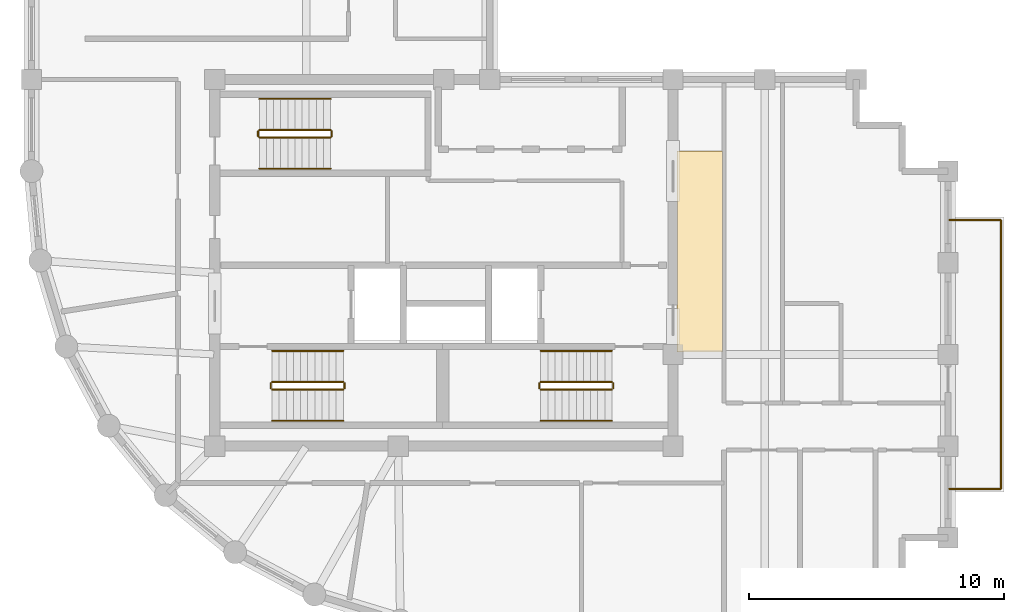
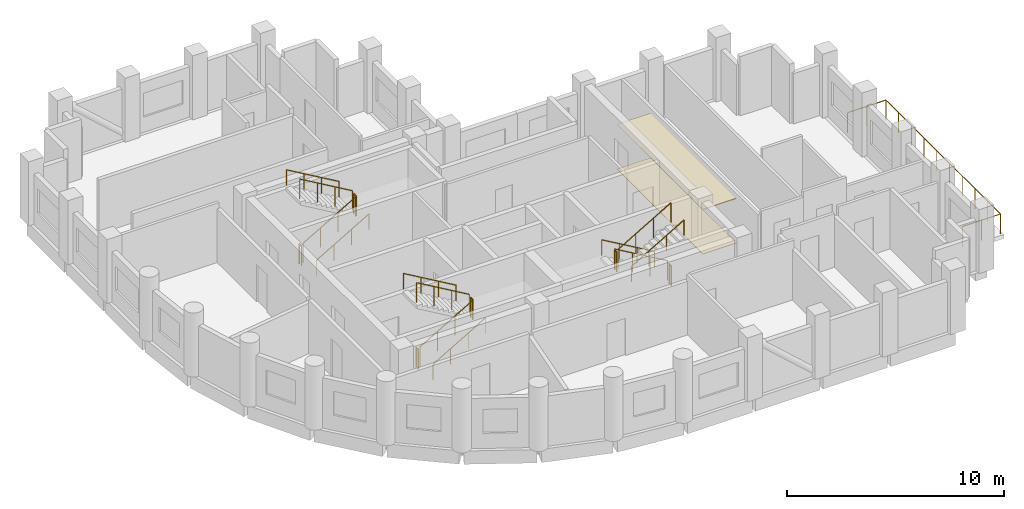
# One storey, part 6 of 6: 21 railings, 2 coverings.
"""IFC4 building model written with IfcOpenShell, lengths in metres."""

from ifc_helpers import new_model, si_unit, direction, frame, origin, origin_2d, place, context, subcontext, project, spatial, polyline, circle, outline, extrude, material, layer, layer_set, type_object, element, save


model = new_model("IFC4")

# Units and contexts
model_context = context("Model", 3, precision=1e-05, world=origin(), true_north=direction((0.0, 1.0)))
body_context = subcontext(model_context, "Body", "Model", "MODEL_VIEW")
ifc_project = project(units=[si_unit("LENGTHUNIT", "METRE"), si_unit("AREAUNIT", "SQUARE_METRE"), si_unit("VOLUMEUNIT", "CUBIC_METRE"), si_unit("PLANEANGLEUNIT", "RADIAN"), si_unit("MASSUNIT", "GRAM", prefix="KILO")], contexts=[model_context])

# Site, building, storey
site_placement = place(None, origin())
site = spatial("IfcSite", under=ifc_project, at=site_placement, CompositionType="ELEMENT")
building_placement = place(site_placement, origin())
building = spatial("IfcBuilding", under=site, at=building_placement, Name="Solnavia Interchange Tower", CompositionType="ELEMENT")
storey_placement = place(building_placement, frame((0.0, 0.0, 224.60009765625)))
storey = spatial("IfcBuildingStorey", under=building, at=storey_placement, Name="L56", CompositionType="ELEMENT", Elevation=224.60009765625)

# Coverings
ifc_material_1 = material(Name="Perforated Mineral-Fibre & Gypsum Ceiling", Category="gypsum")
ifc_layer_1 = layer(ifc_material_1, 0.0400390625)
ifc_layer_set_1 = layer_set([ifc_layer_1], Name="Perforated Mineral-Fibre & Gypsum Ceiling")
covering_type_1 = type_object("IfcCoveringType", Name="Covering-Ceiling-Acoustic40", PredefinedType="CEILING", material=ifc_layer_set_1)
covering_1_placement = place(storey_placement, frame((0.0, 0.0, 2.5)))
element("IfcCovering", 1, at=covering_1_placement, inside=storey, type_object=covering_type_1, Name="CLG-L56-01 Circulation suspended acoustic ceiling", PredefinedType="CEILING", context=body_context, shape_type="SweptSolid", body=[
    extrude(outline(polyline([(32.550048828125, 14.5), (34.35009765625, 14.5), (34.35009765625, 22.39990234375), (32.550048828125, 22.39990234375), (32.550048828125, 14.5)])), origin(), (0.0, 0.0, 1.0), 0.039794921875),
])
ifc_material_2 = material(Name="Engineered European Oak Flooring", Category="wood")
ifc_layer_2 = layer(ifc_material_2, 0.02001953125)
ifc_layer_set_2 = layer_set([ifc_layer_2], Name="Engineered European Oak Flooring")
covering_type_2 = type_object("IfcCoveringType", Name="Covering-Flooring-Timber20", PredefinedType="FLOORING", material=ifc_layer_set_2)
covering_2_placement = place(storey_placement, origin())
element("IfcCovering", 2, at=covering_2_placement, inside=storey, type_object=covering_type_2, Name="FLR-L56-01 Circulation floor finish", PredefinedType="FLOORING", context=body_context, shape_type="SweptSolid", body=[
    extrude(outline(polyline([(32.550048828125, 14.5), (34.35009765625, 14.5), (34.35009765625, 22.39990234375), (32.550048828125, 22.39990234375), (32.550048828125, 14.5)])), origin(), (0.0, 0.0, 1.0), 0.02001953125),
])

# Railings
ifc_material_3 = material(Name="Painted Steel Balustrade", Category="steel")
railing_type_1 = type_object("IfcRailingType", Name="Railing-StairGuard-1100", PredefinedType="GUARDRAIL", material=ifc_material_3)
railing_1_placement = place(storey_placement, frame((16.64990234375, 13.02001953125, 0.16357421875)))
element("IfcRailing", 3, at=railing_1_placement, inside=storey, type_object=railing_type_1, Name="L56 ST-1 stair guard 1", PredefinedType="GUARDRAIL", context=body_context, shape_type="SweptSolid", body=[
    extrude(circle(Radius=0.02392578125, at=origin_2d()), frame((0.0, 0.0, 1.09619140625), z_axis=(0.863393664356, 0.0, 0.504530851732), x_axis=(0.0, 1.0, 0.0)), (0.0, 0.0, 1.0), 3.2431640625),
    extrude(circle(Radius=0.02099609375, at=origin_2d()), origin(), (0.0, 0.0, 1.0), 1.072021484375),
    extrude(circle(Radius=0.02099609375, at=origin_2d()), frame((0.933349609375, 0.0, 0.54541015625)), (0.0, 0.0, 1.0), 1.072021484375),
    extrude(circle(Radius=0.02099609375, at=origin_2d()), frame((1.86669921875, 0.0, 1.0908203125)), (0.0, 0.0, 1.0), 1.072021484375),
    extrude(circle(Radius=0.02099609375, at=origin_2d()), frame((2.800048828125, 0.0, 1.63623046875)), (0.0, 0.0, 1.0), 1.072021484375),
])
railing_2_placement = place(storey_placement, frame((19.5, 13.070068359375, 1.7998046875)))
element("IfcRailing", 4, at=railing_2_placement, inside=storey, type_object=railing_type_1, Name="L56 ST-1 stair guard 2", PredefinedType="GUARDRAIL", context=body_context, shape_type="SweptSolid", body=[
    extrude(circle(Radius=0.02392578125, at=origin_2d()), frame((0.0, 0.0, 1.09619140625), z_axis=(0.0, 1.0, 0.0), x_axis=(-1.0, 0.0, 0.0)), (0.0, 0.0, 1.0), 0.199951171875),
    extrude(circle(Radius=0.02099609375, at=origin_2d()), origin(), (0.0, 0.0, 1.0), 1.072021484375),
    extrude(circle(Radius=0.02099609375, at=origin_2d()), frame((0.0, 0.199951171875, 0.0)), (0.0, 0.0, 1.0), 1.072021484375),
])
railing_3_placement = place(storey_placement, frame((19.449951171875, 13.320068359375, 1.963623046875)))
element("IfcRailing", 5, at=railing_3_placement, inside=storey, type_object=railing_type_1, Name="L56 ST-1 stair guard 3", PredefinedType="GUARDRAIL", context=body_context, shape_type="SweptSolid", body=[
    extrude(circle(Radius=0.02392578125, at=origin_2d()), frame((0.0, 0.0, 1.09619140625), z_axis=(-0.863393664356, 0.0, 0.504530851732), x_axis=(0.0, -1.0, 0.0)), (0.0, 0.0, 1.0), 3.2431640625),
    extrude(circle(Radius=0.02099609375, at=origin_2d()), origin(), (0.0, 0.0, 1.0), 1.072021484375),
    extrude(circle(Radius=0.02099609375, at=origin_2d()), frame((-0.933349609375, 0.0, 0.54541015625)), (0.0, 0.0, 1.0), 1.072021484375),
    extrude(circle(Radius=0.02099609375, at=origin_2d()), frame((-1.86669921875, 0.0, 1.0908203125)), (0.0, 0.0, 1.0), 1.072021484375),
    extrude(circle(Radius=0.02099609375, at=origin_2d()), frame((-2.800048828125, 0.0, 1.63623046875)), (0.0, 0.0, 1.0), 1.072021484375),
])
railing_4_placement = place(storey_placement, frame((16.60009765625, 13.070068359375, 0.0)))
element("IfcRailing", 6, at=railing_4_placement, inside=storey, type_object=railing_type_1, Name="L56 ST-1 stair guard 4", PredefinedType="GUARDRAIL", context=body_context, shape_type="SweptSolid", body=[
    extrude(circle(Radius=0.02392578125, at=origin_2d()), frame((0.0, 0.0, 1.09619140625), z_axis=(0.0, 1.0, 0.0), x_axis=(-1.0, 0.0, 0.0)), (0.0, 0.0, 1.0), 0.199951171875),
    extrude(circle(Radius=0.02099609375, at=origin_2d()), origin(), (0.0, 0.0, 1.0), 1.072021484375),
    extrude(circle(Radius=0.02099609375, at=origin_2d()), frame((0.0, 0.199951171875, 0.0)), (0.0, 0.0, 1.0), 1.072021484375),
])
railing_5_placement = place(storey_placement, frame((30.0, 13.320068359375, 0.16357421875)))
element("IfcRailing", 7, at=railing_5_placement, inside=storey, type_object=railing_type_1, Name="L56 ST-2 stair guard 1", PredefinedType="GUARDRAIL", context=body_context, shape_type="SweptSolid", body=[
    extrude(circle(Radius=0.02392578125, at=origin_2d()), frame((0.0, 0.0, 1.09619140625), z_axis=(-0.863393664356, 0.0, 0.504530851732), x_axis=(0.0, -1.0, 0.0)), (0.0, 0.0, 1.0), 3.2431640625),
    extrude(circle(Radius=0.02099609375, at=origin_2d()), origin(), (0.0, 0.0, 1.0), 1.072021484375),
    extrude(circle(Radius=0.02099609375, at=origin_2d()), frame((-0.933349609375, 0.0, 0.54541015625)), (0.0, 0.0, 1.0), 1.072021484375),
    extrude(circle(Radius=0.02099609375, at=origin_2d()), frame((-1.86669921875, 0.0, 1.0908203125)), (0.0, 0.0, 1.0), 1.072021484375),
    extrude(circle(Radius=0.02099609375, at=origin_2d()), frame((-2.800048828125, 0.0, 1.63623046875)), (0.0, 0.0, 1.0), 1.072021484375),
])
railing_6_placement = place(storey_placement, frame((27.14990234375, 13.27001953125, 1.7998046875)))
element("IfcRailing", 8, at=railing_6_placement, inside=storey, type_object=railing_type_1, Name="L56 ST-2 stair guard 2", PredefinedType="GUARDRAIL", context=body_context, shape_type="SweptSolid", body=[
    extrude(circle(Radius=0.02392578125, at=origin_2d()), frame((0.0, 0.0, 1.09619140625), z_axis=(0.0, -1.0, 0.0), x_axis=(1.0, 0.0, 0.0)), (0.0, 0.0, 1.0), 0.199951171875),
    extrude(circle(Radius=0.02099609375, at=origin_2d()), origin(), (0.0, 0.0, 1.0), 1.072021484375),
    extrude(circle(Radius=0.02099609375, at=origin_2d()), frame((0.0, -0.199951171875, 0.0)), (0.0, 0.0, 1.0), 1.072021484375),
])
railing_7_placement = place(storey_placement, frame((27.199951171875, 13.02001953125, 1.963623046875)))
element("IfcRailing", 9, at=railing_7_placement, inside=storey, type_object=railing_type_1, Name="L56 ST-2 stair guard 3", PredefinedType="GUARDRAIL", context=body_context, shape_type="SweptSolid", body=[
    extrude(circle(Radius=0.02392578125, at=origin_2d()), frame((0.0, 0.0, 1.09619140625), z_axis=(0.863393664356, 0.0, 0.504530851732), x_axis=(0.0, 1.0, 0.0)), (0.0, 0.0, 1.0), 3.2431640625),
    extrude(circle(Radius=0.02099609375, at=origin_2d()), origin(), (0.0, 0.0, 1.0), 1.072021484375),
    extrude(circle(Radius=0.02099609375, at=origin_2d()), frame((0.933349609375, 0.0, 0.54541015625)), (0.0, 0.0, 1.0), 1.072021484375),
    extrude(circle(Radius=0.02099609375, at=origin_2d()), frame((1.86669921875, 0.0, 1.0908203125)), (0.0, 0.0, 1.0), 1.072021484375),
    extrude(circle(Radius=0.02099609375, at=origin_2d()), frame((2.800048828125, 0.0, 1.63623046875)), (0.0, 0.0, 1.0), 1.072021484375),
])
railing_8_placement = place(storey_placement, frame((30.050048828125, 13.27001953125, 0.0)))
element("IfcRailing", 10, at=railing_8_placement, inside=storey, type_object=railing_type_1, Name="L56 ST-2 stair guard 4", PredefinedType="GUARDRAIL", context=body_context, shape_type="SweptSolid", body=[
    extrude(circle(Radius=0.02392578125, at=origin_2d()), frame((0.0, 0.0, 1.09619140625), z_axis=(0.0, -1.0, 0.0), x_axis=(1.0, 0.0, 0.0)), (0.0, 0.0, 1.0), 0.199951171875),
    extrude(circle(Radius=0.02099609375, at=origin_2d()), origin(), (0.0, 0.0, 1.0), 1.072021484375),
    extrude(circle(Radius=0.02099609375, at=origin_2d()), frame((0.0, -0.199951171875, 0.0)), (0.0, 0.0, 1.0), 1.072021484375),
])
railing_9_placement = place(storey_placement, frame((16.14990234375, 22.919921875, 0.16357421875)))
element("IfcRailing", 11, at=railing_9_placement, inside=storey, type_object=railing_type_1, Name="L56 ST-3 stair guard 1", PredefinedType="GUARDRAIL", context=body_context, shape_type="SweptSolid", body=[
    extrude(circle(Radius=0.02392578125, at=origin_2d()), frame((0.0, 0.0, 1.09619140625), z_axis=(0.863393664356, 0.0, 0.504530851732), x_axis=(0.0, 1.0, 0.0)), (0.0, 0.0, 1.0), 3.2431640625),
    extrude(circle(Radius=0.02099609375, at=origin_2d()), origin(), (0.0, 0.0, 1.0), 1.072021484375),
    extrude(circle(Radius=0.02099609375, at=origin_2d()), frame((0.933349609375, 0.0, 0.54541015625)), (0.0, 0.0, 1.0), 1.072021484375),
    extrude(circle(Radius=0.02099609375, at=origin_2d()), frame((1.86669921875, 0.0, 1.0908203125)), (0.0, 0.0, 1.0), 1.072021484375),
    extrude(circle(Radius=0.02099609375, at=origin_2d()), frame((2.800048828125, 0.0, 1.63623046875)), (0.0, 0.0, 1.0), 1.072021484375),
])
railing_10_placement = place(storey_placement, frame((19.0, 22.969970703125, 1.7998046875)))
element("IfcRailing", 12, at=railing_10_placement, inside=storey, type_object=railing_type_1, Name="L56 ST-3 stair guard 2", PredefinedType="GUARDRAIL", context=body_context, shape_type="SweptSolid", body=[
    extrude(circle(Radius=0.02392578125, at=origin_2d()), frame((0.0, 0.0, 1.09619140625), z_axis=(0.0, 1.0, 0.0), x_axis=(-1.0, 0.0, 0.0)), (0.0, 0.0, 1.0), 0.199951171875),
    extrude(circle(Radius=0.02099609375, at=origin_2d()), origin(), (0.0, 0.0, 1.0), 1.072021484375),
    extrude(circle(Radius=0.02099609375, at=origin_2d()), frame((0.0, 0.199951171875, 0.0)), (0.0, 0.0, 1.0), 1.072021484375),
])
railing_11_placement = place(storey_placement, frame((18.949951171875, 23.219970703125, 1.963623046875)))
element("IfcRailing", 13, at=railing_11_placement, inside=storey, type_object=railing_type_1, Name="L56 ST-3 stair guard 3", PredefinedType="GUARDRAIL", context=body_context, shape_type="SweptSolid", body=[
    extrude(circle(Radius=0.02392578125, at=origin_2d()), frame((0.0, 0.0, 1.09619140625), z_axis=(-0.863393664356, 0.0, 0.504530851732), x_axis=(0.0, -1.0, 0.0)), (0.0, 0.0, 1.0), 3.2431640625),
    extrude(circle(Radius=0.02099609375, at=origin_2d()), origin(), (0.0, 0.0, 1.0), 1.072021484375),
    extrude(circle(Radius=0.02099609375, at=origin_2d()), frame((-0.933349609375, 0.0, 0.54541015625)), (0.0, 0.0, 1.0), 1.072021484375),
    extrude(circle(Radius=0.02099609375, at=origin_2d()), frame((-1.86669921875, 0.0, 1.0908203125)), (0.0, 0.0, 1.0), 1.072021484375),
    extrude(circle(Radius=0.02099609375, at=origin_2d()), frame((-2.800048828125, 0.0, 1.63623046875)), (0.0, 0.0, 1.0), 1.072021484375),
])
railing_12_placement = place(storey_placement, frame((16.10009765625, 22.969970703125, 0.0)))
element("IfcRailing", 14, at=railing_12_placement, inside=storey, type_object=railing_type_1, Name="L56 ST-3 stair guard 4", PredefinedType="GUARDRAIL", context=body_context, shape_type="SweptSolid", body=[
    extrude(circle(Radius=0.02392578125, at=origin_2d()), frame((0.0, 0.0, 1.09619140625), z_axis=(0.0, 1.0, 0.0), x_axis=(-1.0, 0.0, 0.0)), (0.0, 0.0, 1.0), 0.199951171875),
    extrude(circle(Radius=0.02099609375, at=origin_2d()), origin(), (0.0, 0.0, 1.0), 1.072021484375),
    extrude(circle(Radius=0.02099609375, at=origin_2d()), frame((0.0, 0.199951171875, 0.0)), (0.0, 0.0, 1.0), 1.072021484375),
])
ifc_material_4 = material(Name="Brushed Stainless Steel", Category="steel")
railing_type_2 = type_object("IfcRailingType", Name="Railing-StairHandrail-900", PredefinedType="HANDRAIL", material=ifc_material_4)
railing_13_placement = place(storey_placement, frame((16.64990234375, 11.800048828125, 0.16357421875)))
element("IfcRailing", 15, at=railing_13_placement, inside=storey, type_object=railing_type_2, Name="L56 ST-1 stair handrail 1", PredefinedType="HANDRAIL", context=body_context, shape_type="SweptSolid", body=[
    extrude(circle(Radius=0.02392578125, at=origin_2d()), frame((0.0, 0.0, 0.8759765625), z_axis=(0.863393664356, 0.0, 0.504530851732), x_axis=(0.0, 1.0, 0.0)), (0.0, 0.0, 1.0), 3.2431640625),
    extrude(circle(Radius=0.02099609375, at=origin_2d()), origin(), (0.0, 0.0, 1.0), 0.851806640625),
    extrude(circle(Radius=0.02099609375, at=origin_2d()), frame((0.933349609375, 0.0, 0.54541015625)), (0.0, 0.0, 1.0), 0.851806640625),
    extrude(circle(Radius=0.02099609375, at=origin_2d()), frame((1.86669921875, 0.0, 1.0908203125)), (0.0, 0.0, 1.0), 0.851806640625),
    extrude(circle(Radius=0.02099609375, at=origin_2d()), frame((2.800048828125, 0.0, 1.63623046875)), (0.0, 0.0, 1.0), 0.851806640625),
])
for number, where, name in (
    (16, (19.449951171875, 14.5400390625, 1.963623046875), "L56 ST-1 stair handrail 2"),
    (17, (30.0, 14.5400390625, 0.16357421875), "L56 ST-2 stair handrail 1"),
):
    element("IfcRailing", number, at=place(storey_placement, frame(where)), inside=storey, type_object=railing_type_2, Name=name, PredefinedType="HANDRAIL", context=body_context, shape_type="SweptSolid", body=[
        extrude(circle(Radius=0.02392578125, at=origin_2d()), frame((0.0, 0.0, 0.8759765625), z_axis=(-0.863393664356, 0.0, 0.504530851732), x_axis=(0.0, -1.0, 0.0)), (0.0, 0.0, 1.0), 3.2431640625),
        extrude(circle(Radius=0.02099609375, at=origin_2d()), origin(), (0.0, 0.0, 1.0), 0.851806640625),
        extrude(circle(Radius=0.02099609375, at=origin_2d()), frame((-0.933349609375, 0.0, 0.54541015625)), (0.0, 0.0, 1.0), 0.851806640625),
        extrude(circle(Radius=0.02099609375, at=origin_2d()), frame((-1.86669921875, 0.0, 1.0908203125)), (0.0, 0.0, 1.0), 0.851806640625),
        extrude(circle(Radius=0.02099609375, at=origin_2d()), frame((-2.800048828125, 0.0, 1.63623046875)), (0.0, 0.0, 1.0), 0.851806640625),
    ])
for number, where, name in (
    (18, (27.199951171875, 11.800048828125, 1.963623046875), "L56 ST-2 stair handrail 2"),
    (19, (16.14990234375, 21.699951171875, 0.16357421875), "L56 ST-3 stair handrail 1"),
):
    element("IfcRailing", number, at=place(storey_placement, frame(where)), inside=storey, type_object=railing_type_2, Name=name, PredefinedType="HANDRAIL", context=body_context, shape_type="SweptSolid", body=[
        extrude(circle(Radius=0.02392578125, at=origin_2d()), frame((0.0, 0.0, 0.8759765625), z_axis=(0.863393664356, 0.0, 0.504530851732), x_axis=(0.0, 1.0, 0.0)), (0.0, 0.0, 1.0), 3.2431640625),
        extrude(circle(Radius=0.02099609375, at=origin_2d()), origin(), (0.0, 0.0, 1.0), 0.851806640625),
        extrude(circle(Radius=0.02099609375, at=origin_2d()), frame((0.933349609375, 0.0, 0.54541015625)), (0.0, 0.0, 1.0), 0.851806640625),
        extrude(circle(Radius=0.02099609375, at=origin_2d()), frame((1.86669921875, 0.0, 1.0908203125)), (0.0, 0.0, 1.0), 0.851806640625),
        extrude(circle(Radius=0.02099609375, at=origin_2d()), frame((2.800048828125, 0.0, 1.63623046875)), (0.0, 0.0, 1.0), 0.851806640625),
    ])
railing_14_placement = place(storey_placement, frame((18.949951171875, 24.43994140625, 1.963623046875)))
element("IfcRailing", 20, at=railing_14_placement, inside=storey, type_object=railing_type_2, Name="L56 ST-3 stair handrail 2", PredefinedType="HANDRAIL", context=body_context, shape_type="SweptSolid", body=[
    extrude(circle(Radius=0.02392578125, at=origin_2d()), frame((0.0, 0.0, 0.8759765625), z_axis=(-0.863393664356, 0.0, 0.504530851732), x_axis=(0.0, -1.0, 0.0)), (0.0, 0.0, 1.0), 3.2431640625),
    extrude(circle(Radius=0.02099609375, at=origin_2d()), origin(), (0.0, 0.0, 1.0), 0.851806640625),
    extrude(circle(Radius=0.02099609375, at=origin_2d()), frame((-0.933349609375, 0.0, 0.54541015625)), (0.0, 0.0, 1.0), 0.851806640625),
    extrude(circle(Radius=0.02099609375, at=origin_2d()), frame((-1.86669921875, 0.0, 1.0908203125)), (0.0, 0.0, 1.0), 0.851806640625),
    extrude(circle(Radius=0.02099609375, at=origin_2d()), frame((-2.800048828125, 0.0, 1.63623046875)), (0.0, 0.0, 1.0), 0.851806640625),
])
ifc_material_5 = material(Name="Laminated Safety Glass & Stainless Steel", Category="steel")
railing_type_3 = type_object("IfcRailingType", Name="Railing-TerraceGuard-1150", PredefinedType="GUARDRAIL", material=ifc_material_5)
railing_15_placement = place(storey_placement, frame((43.25, 9.1201171875, -0.0400390625)))
element("IfcRailing", 21, at=railing_15_placement, inside=storey, type_object=railing_type_3, Name="GRD-L56-TER-01 Perimeter terrace guardrail", PredefinedType="GUARDRAIL", context=body_context, shape_type="SweptSolid", body=[
    extrude(circle(Radius=0.02392578125, at=origin_2d()), frame((0.0, 0.0, 1.1259765625), z_axis=(1.0, 0.0, 0.0), x_axis=(0.0, 1.0, 0.0)), (0.0, 0.0, 1.0), 2.030029296875),
    extrude(circle(Radius=0.02099609375, at=origin_2d()), origin(), (0.0, 0.0, 1.0), 1.101806640625),
    extrude(circle(Radius=0.02099609375, at=origin_2d()), frame((1.01513671875, 0.0, 0.0)), (0.0, 0.0, 1.0), 1.101806640625),
    extrude(circle(Radius=0.02099609375, at=origin_2d()), frame((2.030029296875, 0.0, 0.0)), (0.0, 0.0, 1.0), 1.101806640625),
])
railing_16_placement = place(storey_placement, frame((45.280029296875, 9.1201171875, -0.0400390625)))
element("IfcRailing", 22, at=railing_16_placement, inside=storey, type_object=railing_type_3, Name="GRD-L56-TER-02 Perimeter terrace guardrail", PredefinedType="GUARDRAIL", context=body_context, shape_type="SweptSolid", body=[
    extrude(circle(Radius=0.02392578125, at=origin_2d()), frame((0.0, 0.0, 1.1259765625), z_axis=(0.0, 1.0, 0.0), x_axis=(-1.0, 0.0, 0.0)), (0.0, 0.0, 1.0), 10.559814453125),
    extrude(circle(Radius=0.02099609375, at=origin_2d()), origin(), (0.0, 0.0, 1.0), 1.101806640625),
    extrude(circle(Radius=0.02099609375, at=origin_2d()), frame((0.0, 1.17333984375, 0.0)), (0.0, 0.0, 1.0), 1.101806640625),
    extrude(circle(Radius=0.02099609375, at=origin_2d()), frame((0.0, 2.3466796875, 0.0)), (0.0, 0.0, 1.0), 1.101806640625),
    extrude(circle(Radius=0.02099609375, at=origin_2d()), frame((0.0, 3.52001953125, 0.0)), (0.0, 0.0, 1.0), 1.101806640625),
    extrude(circle(Radius=0.02099609375, at=origin_2d()), frame((0.0, 4.693359375, 0.0)), (0.0, 0.0, 1.0), 1.101806640625),
    extrude(circle(Radius=0.02099609375, at=origin_2d()), frame((0.0, 5.866455078125, 0.0)), (0.0, 0.0, 1.0), 1.101806640625),
    extrude(circle(Radius=0.02099609375, at=origin_2d()), frame((0.0, 7.039794921875, 0.0)), (0.0, 0.0, 1.0), 1.101806640625),
    extrude(circle(Radius=0.02099609375, at=origin_2d()), frame((0.0, 8.213134765625, 0.0)), (0.0, 0.0, 1.0), 1.101806640625),
    extrude(circle(Radius=0.02099609375, at=origin_2d()), frame((0.0, 9.386474609375, 0.0)), (0.0, 0.0, 1.0), 1.101806640625),
    extrude(circle(Radius=0.02099609375, at=origin_2d()), frame((0.0, 10.559814453125, 0.0)), (0.0, 0.0, 1.0), 1.101806640625),
])
railing_17_placement = place(storey_placement, frame((45.280029296875, 19.679931640625, -0.0400390625)))
element("IfcRailing", 23, at=railing_17_placement, inside=storey, type_object=railing_type_3, Name="GRD-L56-TER-03 Perimeter terrace guardrail", PredefinedType="GUARDRAIL", context=body_context, shape_type="SweptSolid", body=[
    extrude(circle(Radius=0.02392578125, at=origin_2d()), frame((0.0, 0.0, 1.1259765625), z_axis=(-1.0, 0.0, 0.0), x_axis=(0.0, -1.0, 0.0)), (0.0, 0.0, 1.0), 2.030029296875),
    extrude(circle(Radius=0.02099609375, at=origin_2d()), origin(), (0.0, 0.0, 1.0), 1.101806640625),
    extrude(circle(Radius=0.02099609375, at=origin_2d()), frame((-1.01513671875, 0.0, 0.0)), (0.0, 0.0, 1.0), 1.101806640625),
    extrude(circle(Radius=0.02099609375, at=origin_2d()), frame((-2.030029296875, 0.0, 0.0)), (0.0, 0.0, 1.0), 1.101806640625),
])

save(model, "model.ifc")
